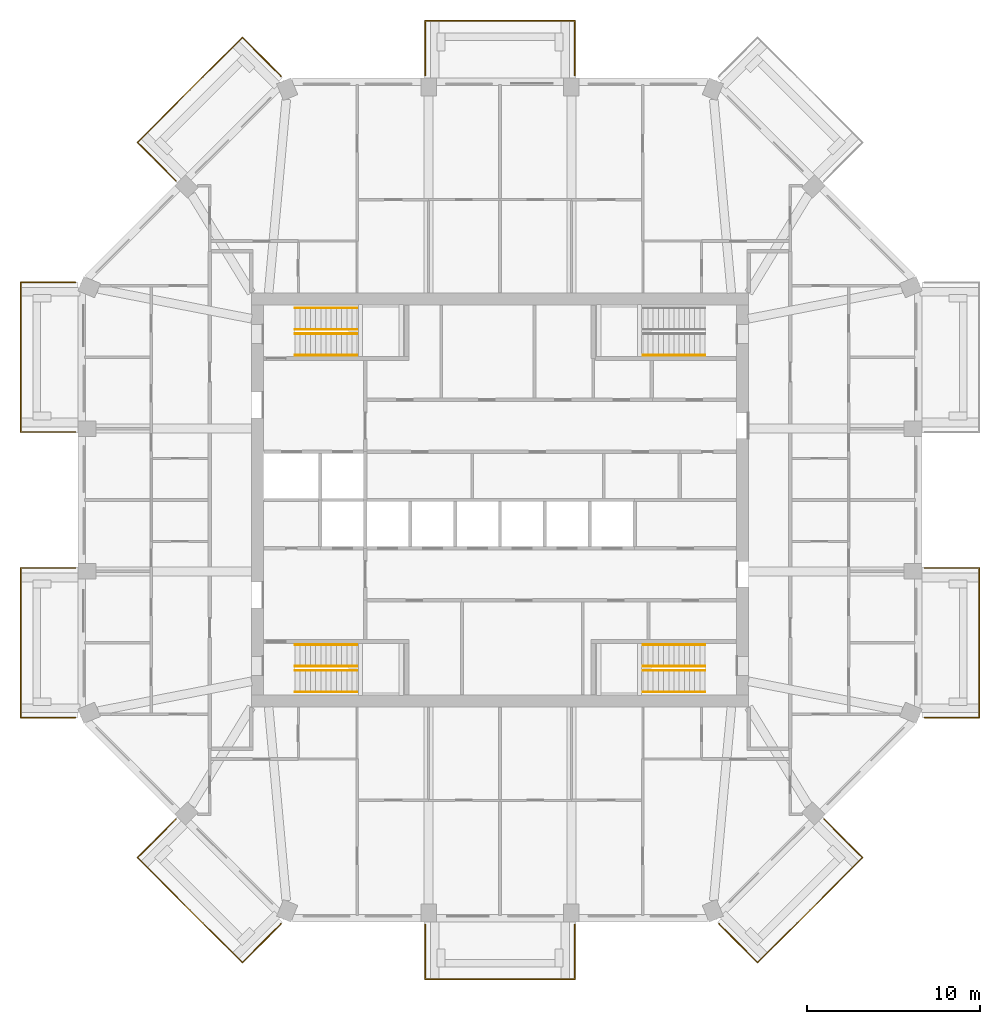
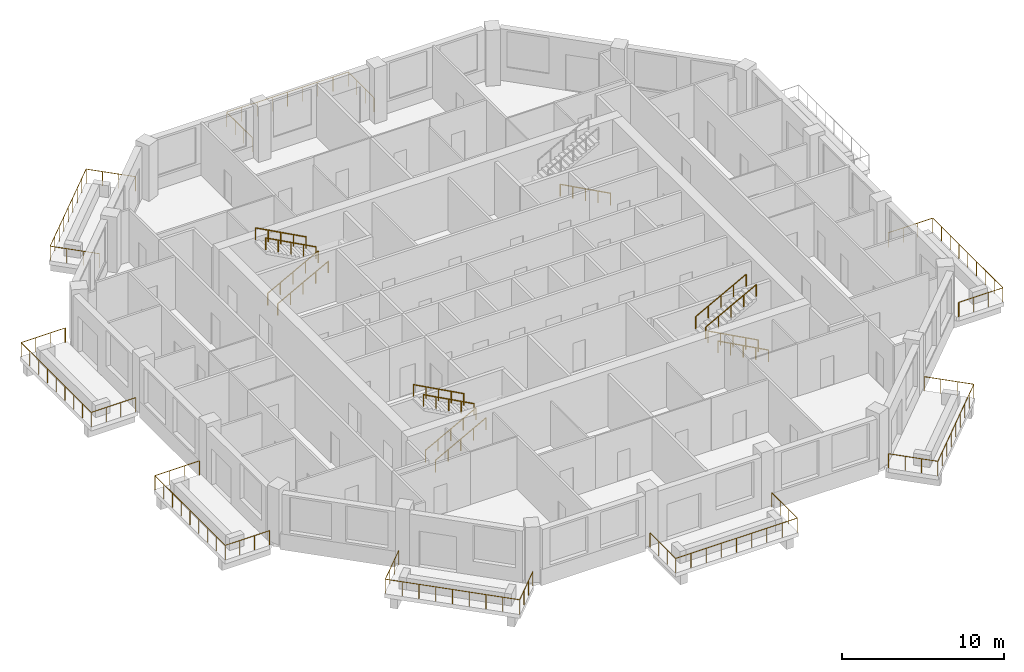
# One storey, part 11 of 12: 21 railings.
"""IFC4 building model written with IfcOpenShell, lengths in metres."""

from ifc_helpers import new_model, si_unit, direction, frame, origin, origin_2d, place, context, subcontext, project, spatial, circle, extrude, material, constituent, constituent_set, type_object, element, save


model = new_model("IFC4")

# Units and contexts
model_context = context("Model", 3, precision=1e-05, world=origin(), true_north=direction((0.0, 1.0)))
body_context = subcontext(model_context, "Body", "Model", "MODEL_VIEW")
ifc_project = project(units=[si_unit("LENGTHUNIT", "METRE"), si_unit("AREAUNIT", "SQUARE_METRE"), si_unit("VOLUMEUNIT", "CUBIC_METRE"), si_unit("PLANEANGLEUNIT", "RADIAN"), si_unit("MASSUNIT", "GRAM", prefix="KILO")], contexts=[model_context])

# Site, building, storey
site_placement = place(None, origin())
site = spatial("IfcSite", under=ifc_project, at=site_placement, CompositionType="ELEMENT")
building_placement = place(site_placement, origin())
building = spatial("IfcBuilding", under=site, at=building_placement, Name="Msitu Wima Residences", CompositionType="ELEMENT")
storey_placement = place(building_placement, frame((0.0, 0.0, 170.699951171875)))
storey = spatial("IfcBuildingStorey", under=building, at=storey_placement, Name="L39", CompositionType="ELEMENT", Elevation=170.699951171875)

# Railings
ifc_material_1 = material(Name="Steel S355", Category="steel")
ifc_constituent_1 = constituent(ifc_material_1, Name="Steel S355")
ifc_material_2 = material(Name="Weathering patina")
ifc_constituent_2 = constituent(ifc_material_2, Name="Weathering patina")
ifc_constituent_set_1 = constituent_set(constituents=[ifc_constituent_1, ifc_constituent_2], Name="Steel S355")
railing_type_1 = type_object("IfcRailingType", Name="Balcony guard GR1100", PredefinedType="GUARDRAIL", material=ifc_constituent_set_1)
railing_1_placement = place(storey_placement, frame((24.580078125, -3.937255859375, 0.0)))
element("IfcRailing", 1, at=railing_1_placement, inside=storey, type_object=railing_type_1, Name="Balcony guard E0 L39", PredefinedType="GUARDRAIL", context=body_context, shape_type="SweptSolid", body=[
    extrude(circle(Radius=0.02392578125, at=origin_2d()), frame((0.0, 0.0, 1.076171875), z_axis=(1.0, 0.0, 0.0), x_axis=(0.0, 1.0, 0.0)), (0.0, 0.0, 1.0), 3.169921875),
    extrude(circle(Radius=0.02392578125, at=origin_2d()), frame((3.169921875, 0.0, 1.076171875), z_axis=(0.0, -1.0, 0.0), x_axis=(1.0, 0.0, 0.0)), (0.0, 0.0, 1.0), 8.674560546875),
    extrude(circle(Radius=0.02392578125, at=origin_2d()), frame((3.169921875, -8.674560546875, 1.076171875), z_axis=(-1.0, 0.0, 0.0), x_axis=(0.0, -1.0, 0.0)), (0.0, 0.0, 1.0), 3.136474609375),
    extrude(circle(Radius=0.02392578125, at=origin_2d()), frame((0.033447265625, -8.674560546875, 1.076171875), z_axis=(-0.923276184907, 0.384136806859, 0.0), x_axis=(-0.384136806859, -0.923276184907, 0.0)), (0.0, 0.0, 1.0), 0.0361328125),
    extrude(circle(Radius=0.02099609375, at=origin_2d()), origin(), (0.0, 0.0, 1.0), 1.052001953125),
    extrude(circle(Radius=0.02099609375, at=origin_2d()), frame((1.056640625, 0.0, 0.0)), (0.0, 0.0, 1.0), 1.052001953125),
    extrude(circle(Radius=0.02099609375, at=origin_2d()), frame((2.11328125, 0.0, 0.0)), (0.0, 0.0, 1.0), 1.052001953125),
    extrude(circle(Radius=0.02099609375, at=origin_2d()), frame((3.169921875, 0.0, 0.0)), (0.0, 0.0, 1.0), 1.052001953125),
    extrude(circle(Radius=0.02099609375, at=origin_2d()), frame((3.169921875, -1.084228515625, 0.0)), (0.0, 0.0, 1.0), 1.052001953125),
    extrude(circle(Radius=0.02099609375, at=origin_2d()), frame((3.169921875, -2.168701171875, 0.0)), (0.0, 0.0, 1.0), 1.052001953125),
    extrude(circle(Radius=0.02099609375, at=origin_2d()), frame((3.169921875, -3.2529296875, 0.0)), (0.0, 0.0, 1.0), 1.052001953125),
    extrude(circle(Radius=0.02099609375, at=origin_2d()), frame((3.169921875, -4.33740234375, 0.0)), (0.0, 0.0, 1.0), 1.052001953125),
    extrude(circle(Radius=0.02099609375, at=origin_2d()), frame((3.169921875, -5.421630859375, 0.0)), (0.0, 0.0, 1.0), 1.052001953125),
    extrude(circle(Radius=0.02099609375, at=origin_2d()), frame((3.169921875, -6.505859375, 0.0)), (0.0, 0.0, 1.0), 1.052001953125),
    extrude(circle(Radius=0.02099609375, at=origin_2d()), frame((3.169921875, -7.59033203125, 0.0)), (0.0, 0.0, 1.0), 1.052001953125),
    extrude(circle(Radius=0.02099609375, at=origin_2d()), frame((3.169921875, -8.674560546875, 0.0)), (0.0, 0.0, 1.0), 1.052001953125),
    extrude(circle(Radius=0.02099609375, at=origin_2d()), frame((2.12451171875, -8.674560546875, 0.0)), (0.0, 0.0, 1.0), 1.052001953125),
    extrude(circle(Radius=0.02099609375, at=origin_2d()), frame((1.078857421875, -8.674560546875, 0.0)), (0.0, 0.0, 1.0), 1.052001953125),
    extrude(circle(Radius=0.02099609375, at=origin_2d()), frame((0.033447265625, -8.674560546875, 0.0)), (0.0, 0.0, 1.0), 1.052001953125),
    extrude(circle(Radius=0.02099609375, at=origin_2d()), frame((0.0, -8.66064453125, 0.0)), (0.0, 0.0, 1.0), 1.052001953125),
])
railing_2_placement = place(storey_placement, frame((-4.337158203125, 24.580078125, 0.0)))
element("IfcRailing", 2, at=railing_2_placement, inside=storey, type_object=railing_type_1, Name="Balcony guard N1 L39", PredefinedType="GUARDRAIL", context=body_context, shape_type="SweptSolid", body=[
    extrude(circle(Radius=0.02392578125, at=origin_2d()), frame((0.0, 0.0, 1.076171875), z_axis=(0.0, 1.0, 0.0), x_axis=(-1.0, 0.0, 0.0)), (0.0, 0.0, 1.0), 3.169921875),
    extrude(circle(Radius=0.02392578125, at=origin_2d()), frame((0.0, 3.169921875, 1.076171875), z_axis=(1.0, 0.0, 0.0), x_axis=(0.0, 1.0, 0.0)), (0.0, 0.0, 1.0), 8.67431640625),
    extrude(circle(Radius=0.02392578125, at=origin_2d()), frame((8.67431640625, 3.169921875, 1.076171875), z_axis=(0.0, -1.0, 0.0), x_axis=(1.0, 0.0, 0.0)), (0.0, 0.0, 1.0), 3.169921875),
    extrude(circle(Radius=0.02099609375, at=origin_2d()), origin(), (0.0, 0.0, 1.0), 1.052001953125),
    extrude(circle(Radius=0.02099609375, at=origin_2d()), frame((0.0, 1.056640625, 0.0)), (0.0, 0.0, 1.0), 1.052001953125),
    extrude(circle(Radius=0.02099609375, at=origin_2d()), frame((0.0, 2.11328125, 0.0)), (0.0, 0.0, 1.0), 1.052001953125),
    extrude(circle(Radius=0.02099609375, at=origin_2d()), frame((0.0, 3.169921875, 0.0)), (0.0, 0.0, 1.0), 1.052001953125),
    extrude(circle(Radius=0.02099609375, at=origin_2d()), frame((1.084228515625, 3.169921875, 0.0)), (0.0, 0.0, 1.0), 1.052001953125),
    extrude(circle(Radius=0.02099609375, at=origin_2d()), frame((2.16845703125, 3.169921875, 0.0)), (0.0, 0.0, 1.0), 1.052001953125),
    extrude(circle(Radius=0.02099609375, at=origin_2d()), frame((3.2529296875, 3.169921875, 0.0)), (0.0, 0.0, 1.0), 1.052001953125),
    extrude(circle(Radius=0.02099609375, at=origin_2d()), frame((4.337158203125, 3.169921875, 0.0)), (0.0, 0.0, 1.0), 1.052001953125),
    extrude(circle(Radius=0.02099609375, at=origin_2d()), frame((5.42138671875, 3.169921875, 0.0)), (0.0, 0.0, 1.0), 1.052001953125),
    extrude(circle(Radius=0.02099609375, at=origin_2d()), frame((6.505859375, 3.169921875, 0.0)), (0.0, 0.0, 1.0), 1.052001953125),
    extrude(circle(Radius=0.02099609375, at=origin_2d()), frame((7.590087890625, 3.169921875, 0.0)), (0.0, 0.0, 1.0), 1.052001953125),
    extrude(circle(Radius=0.02099609375, at=origin_2d()), frame((8.67431640625, 3.169921875, 0.0)), (0.0, 0.0, 1.0), 1.052001953125),
    extrude(circle(Radius=0.02099609375, at=origin_2d()), frame((8.67431640625, 2.11328125, 0.0)), (0.0, 0.0, 1.0), 1.052001953125),
    extrude(circle(Radius=0.02099609375, at=origin_2d()), frame((8.67431640625, 1.056640625, 0.0)), (0.0, 0.0, 1.0), 1.052001953125),
    extrude(circle(Radius=0.02099609375, at=origin_2d()), frame((8.67431640625, 0.0, 0.0)), (0.0, 0.0, 1.0), 1.052001953125),
])
railing_3_placement = place(storey_placement, frame((-18.75732421875, 18.474609375, 0.0)))
element("IfcRailing", 3, at=railing_3_placement, inside=storey, type_object=railing_type_1, Name="Balcony guard NW0 L39", PredefinedType="GUARDRAIL", context=body_context, shape_type="SweptSolid", body=[
    extrude(circle(Radius=0.02392578125, at=origin_2d()), frame((0.0, 0.0, 1.076171875), z_axis=(-0.707145287287, 0.707068272989, 0.0), x_axis=(-0.707068272989, -0.707145287287, 0.0)), (0.0, 0.0, 1.0), 3.170166015625),
    extrude(circle(Radius=0.02392578125, at=origin_2d()), frame((-2.24169921875, 2.241455078125, 1.076171875), z_axis=(0.707106781187, 0.707106781187, 0.0), x_axis=(-0.707106781187, 0.707106781187, 0.0)), (0.0, 0.0, 1.0), 8.593994140625),
    extrude(circle(Radius=0.02392578125, at=origin_2d()), frame((3.835205078125, 8.318359375, 1.076171875), z_axis=(0.707145698426, -0.707067861805, 0.0), x_axis=(0.707067861805, 0.707145698426, 0.0)), (0.0, 0.0, 1.0), 3.136474609375),
    extrude(circle(Radius=0.02392578125, at=origin_2d()), frame((6.05322265625, 6.1005859375, 1.076171875), z_axis=(0.384136806859, -0.923276184907, 0.0), x_axis=(0.923276184907, 0.384136806859, 0.0)), (0.0, 0.0, 1.0), 0.0361328125),
    extrude(circle(Radius=0.02099609375, at=origin_2d()), origin(), (0.0, 0.0, 1.0), 1.052001953125),
    extrude(circle(Radius=0.02099609375, at=origin_2d()), frame((-0.747314453125, 0.7470703125, 0.0)), (0.0, 0.0, 1.0), 1.052001953125),
    extrude(circle(Radius=0.02099609375, at=origin_2d()), frame((-1.494384765625, 1.494384765625, 0.0)), (0.0, 0.0, 1.0), 1.052001953125),
    extrude(circle(Radius=0.02099609375, at=origin_2d()), frame((-2.24169921875, 2.241455078125, 0.0)), (0.0, 0.0, 1.0), 1.052001953125),
    extrude(circle(Radius=0.02099609375, at=origin_2d()), frame((-1.482177734375, 3.0009765625, 0.0)), (0.0, 0.0, 1.0), 1.052001953125),
    extrude(circle(Radius=0.02099609375, at=origin_2d()), frame((-0.722412109375, 3.7607421875, 0.0)), (0.0, 0.0, 1.0), 1.052001953125),
    extrude(circle(Radius=0.02099609375, at=origin_2d()), frame((0.037109375, 4.520263671875, 0.0)), (0.0, 0.0, 1.0), 1.052001953125),
    extrude(circle(Radius=0.02099609375, at=origin_2d()), frame((0.796875, 5.27978515625, 0.0)), (0.0, 0.0, 1.0), 1.052001953125),
    extrude(circle(Radius=0.02099609375, at=origin_2d()), frame((1.556396484375, 6.03955078125, 0.0)), (0.0, 0.0, 1.0), 1.052001953125),
    extrude(circle(Radius=0.02099609375, at=origin_2d()), frame((2.31591796875, 6.799072265625, 0.0)), (0.0, 0.0, 1.0), 1.052001953125),
    extrude(circle(Radius=0.02099609375, at=origin_2d()), frame((3.07568359375, 7.558837890625, 0.0)), (0.0, 0.0, 1.0), 1.052001953125),
    extrude(circle(Radius=0.02099609375, at=origin_2d()), frame((3.835205078125, 8.318359375, 0.0)), (0.0, 0.0, 1.0), 1.052001953125),
    extrude(circle(Radius=0.02099609375, at=origin_2d()), frame((4.574462890625, 7.5791015625, 0.0)), (0.0, 0.0, 1.0), 1.052001953125),
    extrude(circle(Radius=0.02099609375, at=origin_2d()), frame((5.31396484375, 6.83984375, 0.0)), (0.0, 0.0, 1.0), 1.052001953125),
    extrude(circle(Radius=0.02099609375, at=origin_2d()), frame((6.05322265625, 6.1005859375, 0.0)), (0.0, 0.0, 1.0), 1.052001953125),
    extrude(circle(Radius=0.02099609375, at=origin_2d()), frame((6.067138671875, 6.067138671875, 0.0)), (0.0, 0.0, 1.0), 1.052001953125),
])
railing_4_placement = place(storey_placement, frame((-24.580078125, 3.937255859375, 0.0)))
element("IfcRailing", 4, at=railing_4_placement, inside=storey, type_object=railing_type_1, Name="Balcony guard W0 L39", PredefinedType="GUARDRAIL", context=body_context, shape_type="SweptSolid", body=[
    extrude(circle(Radius=0.02392578125, at=origin_2d()), frame((0.0, 0.0, 1.076171875), z_axis=(-1.0, 0.0, 0.0), x_axis=(0.0, -1.0, 0.0)), (0.0, 0.0, 1.0), 3.169921875),
    extrude(circle(Radius=0.02392578125, at=origin_2d()), frame((-3.169921875, 0.0, 1.076171875), z_axis=(0.0, 1.0, 0.0), x_axis=(-1.0, 0.0, 0.0)), (0.0, 0.0, 1.0), 8.674560546875),
    extrude(circle(Radius=0.02392578125, at=origin_2d()), frame((-3.169921875, 8.674560546875, 1.076171875), z_axis=(1.0, 0.0, 0.0), x_axis=(0.0, 1.0, 0.0)), (0.0, 0.0, 1.0), 3.136474609375),
    extrude(circle(Radius=0.02392578125, at=origin_2d()), frame((-0.033447265625, 8.674560546875, 1.076171875), z_axis=(0.923276184907, -0.384136806859, 0.0), x_axis=(0.384136806859, 0.923276184907, 0.0)), (0.0, 0.0, 1.0), 0.0361328125),
    extrude(circle(Radius=0.02099609375, at=origin_2d()), origin(), (0.0, 0.0, 1.0), 1.052001953125),
    extrude(circle(Radius=0.02099609375, at=origin_2d()), frame((-1.056640625, 0.0, 0.0)), (0.0, 0.0, 1.0), 1.052001953125),
    extrude(circle(Radius=0.02099609375, at=origin_2d()), frame((-2.11328125, 0.0, 0.0)), (0.0, 0.0, 1.0), 1.052001953125),
    extrude(circle(Radius=0.02099609375, at=origin_2d()), frame((-3.169921875, 0.0, 0.0)), (0.0, 0.0, 1.0), 1.052001953125),
    extrude(circle(Radius=0.02099609375, at=origin_2d()), frame((-3.169921875, 1.084228515625, 0.0)), (0.0, 0.0, 1.0), 1.052001953125),
    extrude(circle(Radius=0.02099609375, at=origin_2d()), frame((-3.169921875, 2.168701171875, 0.0)), (0.0, 0.0, 1.0), 1.052001953125),
    extrude(circle(Radius=0.02099609375, at=origin_2d()), frame((-3.169921875, 3.2529296875, 0.0)), (0.0, 0.0, 1.0), 1.052001953125),
    extrude(circle(Radius=0.02099609375, at=origin_2d()), frame((-3.169921875, 4.33740234375, 0.0)), (0.0, 0.0, 1.0), 1.052001953125),
    extrude(circle(Radius=0.02099609375, at=origin_2d()), frame((-3.169921875, 5.421630859375, 0.0)), (0.0, 0.0, 1.0), 1.052001953125),
    extrude(circle(Radius=0.02099609375, at=origin_2d()), frame((-3.169921875, 6.505859375, 0.0)), (0.0, 0.0, 1.0), 1.052001953125),
    extrude(circle(Radius=0.02099609375, at=origin_2d()), frame((-3.169921875, 7.59033203125, 0.0)), (0.0, 0.0, 1.0), 1.052001953125),
    extrude(circle(Radius=0.02099609375, at=origin_2d()), frame((-3.169921875, 8.674560546875, 0.0)), (0.0, 0.0, 1.0), 1.052001953125),
    extrude(circle(Radius=0.02099609375, at=origin_2d()), frame((-2.12451171875, 8.674560546875, 0.0)), (0.0, 0.0, 1.0), 1.052001953125),
    extrude(circle(Radius=0.02099609375, at=origin_2d()), frame((-1.078857421875, 8.674560546875, 0.0)), (0.0, 0.0, 1.0), 1.052001953125),
    extrude(circle(Radius=0.02099609375, at=origin_2d()), frame((-0.033447265625, 8.674560546875, 0.0)), (0.0, 0.0, 1.0), 1.052001953125),
    extrude(circle(Radius=0.02099609375, at=origin_2d()), frame((0.0, 8.66064453125, 0.0)), (0.0, 0.0, 1.0), 1.052001953125),
])
railing_5_placement = place(storey_placement, frame((-24.580078125, -12.597900390625, 0.0)))
element("IfcRailing", 5, at=railing_5_placement, inside=storey, type_object=railing_type_1, Name="Balcony guard W2 L39", PredefinedType="GUARDRAIL", context=body_context, shape_type="SweptSolid", body=[
    extrude(circle(Radius=0.02392578125, at=origin_2d()), frame((0.0, 0.0, 1.076171875), z_axis=(-0.923276184907, -0.384136806859, 0.0), x_axis=(0.384136806859, -0.923276184907, 0.0)), (0.0, 0.0, 1.0), 0.0361328125),
    extrude(circle(Radius=0.02392578125, at=origin_2d()), frame((-0.033447265625, -0.013916015625, 1.076171875), z_axis=(-1.0, 0.0, 0.0), x_axis=(0.0, -1.0, 0.0)), (0.0, 0.0, 1.0), 3.136474609375),
    extrude(circle(Radius=0.02392578125, at=origin_2d()), frame((-3.169921875, -0.013916015625, 1.076171875), z_axis=(0.0, 1.0, 0.0), x_axis=(-1.0, 0.0, 0.0)), (0.0, 0.0, 1.0), 8.674560546875),
    extrude(circle(Radius=0.02392578125, at=origin_2d()), frame((-3.169921875, 8.66064453125, 1.076171875), z_axis=(1.0, 0.0, 0.0), x_axis=(0.0, 1.0, 0.0)), (0.0, 0.0, 1.0), 3.169921875),
    extrude(circle(Radius=0.02099609375, at=origin_2d()), origin(), (0.0, 0.0, 1.0), 1.052001953125),
    extrude(circle(Radius=0.02099609375, at=origin_2d()), frame((-0.033447265625, -0.013916015625, 0.0)), (0.0, 0.0, 1.0), 1.052001953125),
    extrude(circle(Radius=0.02099609375, at=origin_2d()), frame((-1.078857421875, -0.013916015625, 0.0)), (0.0, 0.0, 1.0), 1.052001953125),
    extrude(circle(Radius=0.02099609375, at=origin_2d()), frame((-2.12451171875, -0.013916015625, 0.0)), (0.0, 0.0, 1.0), 1.052001953125),
    extrude(circle(Radius=0.02099609375, at=origin_2d()), frame((-3.169921875, -0.013916015625, 0.0)), (0.0, 0.0, 1.0), 1.052001953125),
    extrude(circle(Radius=0.02099609375, at=origin_2d()), frame((-3.169921875, 1.0703125, 0.0)), (0.0, 0.0, 1.0), 1.052001953125),
    extrude(circle(Radius=0.02099609375, at=origin_2d()), frame((-3.169921875, 2.15478515625, 0.0)), (0.0, 0.0, 1.0), 1.052001953125),
    extrude(circle(Radius=0.02099609375, at=origin_2d()), frame((-3.169921875, 3.239013671875, 0.0)), (0.0, 0.0, 1.0), 1.052001953125),
    extrude(circle(Radius=0.02099609375, at=origin_2d()), frame((-3.169921875, 4.3232421875, 0.0)), (0.0, 0.0, 1.0), 1.052001953125),
    extrude(circle(Radius=0.02099609375, at=origin_2d()), frame((-3.169921875, 5.40771484375, 0.0)), (0.0, 0.0, 1.0), 1.052001953125),
    extrude(circle(Radius=0.02099609375, at=origin_2d()), frame((-3.169921875, 6.491943359375, 0.0)), (0.0, 0.0, 1.0), 1.052001953125),
    extrude(circle(Radius=0.02099609375, at=origin_2d()), frame((-3.169921875, 7.576416015625, 0.0)), (0.0, 0.0, 1.0), 1.052001953125),
    extrude(circle(Radius=0.02099609375, at=origin_2d()), frame((-3.169921875, 8.66064453125, 0.0)), (0.0, 0.0, 1.0), 1.052001953125),
    extrude(circle(Radius=0.02099609375, at=origin_2d()), frame((-2.11328125, 8.66064453125, 0.0)), (0.0, 0.0, 1.0), 1.052001953125),
    extrude(circle(Radius=0.02099609375, at=origin_2d()), frame((-1.056640625, 8.66064453125, 0.0)), (0.0, 0.0, 1.0), 1.052001953125),
    extrude(circle(Radius=0.02099609375, at=origin_2d()), frame((0.0, 8.66064453125, 0.0)), (0.0, 0.0, 1.0), 1.052001953125),
])
railing_6_placement = place(storey_placement, frame((-12.690185546875, -24.541748046875, 0.0)))
element("IfcRailing", 6, at=railing_6_placement, inside=storey, type_object=railing_type_1, Name="Balcony guard SW1 L39", PredefinedType="GUARDRAIL", context=body_context, shape_type="SweptSolid", body=[
    extrude(circle(Radius=0.02392578125, at=origin_2d()), frame((0.0, 0.0, 1.076171875), z_axis=(-0.384136806859, -0.923276184907, 0.0), x_axis=(0.923276184907, -0.384136806859, 0.0)), (0.0, 0.0, 1.0), 0.0361328125),
    extrude(circle(Radius=0.02392578125, at=origin_2d()), frame((-0.013916015625, -0.033447265625, 1.076171875), z_axis=(-0.707145698426, -0.707067861805, 0.0), x_axis=(0.707067861805, -0.707145698426, 0.0)), (0.0, 0.0, 1.0), 3.136474609375),
    extrude(circle(Radius=0.02392578125, at=origin_2d()), frame((-2.23193359375, -2.251220703125, 1.076171875), z_axis=(-0.707106781187, 0.707106781187, 0.0), x_axis=(-0.707106781187, -0.707106781187, 0.0)), (0.0, 0.0, 1.0), 8.593994140625),
    extrude(circle(Radius=0.02392578125, at=origin_2d()), frame((-8.308837890625, 3.82568359375, 1.076171875), z_axis=(0.707145287287, 0.707068272989, 0.0), x_axis=(-0.707068272989, 0.707145287287, 0.0)), (0.0, 0.0, 1.0), 3.170166015625),
    extrude(circle(Radius=0.02099609375, at=origin_2d()), origin(), (0.0, 0.0, 1.0), 1.052001953125),
    extrude(circle(Radius=0.02099609375, at=origin_2d()), frame((-0.013916015625, -0.033447265625, 0.0)), (0.0, 0.0, 1.0), 1.052001953125),
    extrude(circle(Radius=0.02099609375, at=origin_2d()), frame((-0.753173828125, -0.772705078125, 0.0)), (0.0, 0.0, 1.0), 1.052001953125),
    extrude(circle(Radius=0.02099609375, at=origin_2d()), frame((-1.49267578125, -1.511962890625, 0.0)), (0.0, 0.0, 1.0), 1.052001953125),
    extrude(circle(Radius=0.02099609375, at=origin_2d()), frame((-2.23193359375, -2.251220703125, 0.0)), (0.0, 0.0, 1.0), 1.052001953125),
    extrude(circle(Radius=0.02099609375, at=origin_2d()), frame((-2.991455078125, -1.49169921875, 0.0)), (0.0, 0.0, 1.0), 1.052001953125),
    extrude(circle(Radius=0.02099609375, at=origin_2d()), frame((-3.751220703125, -0.73193359375, 0.0)), (0.0, 0.0, 1.0), 1.052001953125),
    extrude(circle(Radius=0.02099609375, at=origin_2d()), frame((-4.5107421875, 0.027587890625, 0.0)), (0.0, 0.0, 1.0), 1.052001953125),
    extrude(circle(Radius=0.02099609375, at=origin_2d()), frame((-5.2705078125, 0.787109375, 0.0)), (0.0, 0.0, 1.0), 1.052001953125),
    extrude(circle(Radius=0.02099609375, at=origin_2d()), frame((-6.030029296875, 1.546875, 0.0)), (0.0, 0.0, 1.0), 1.052001953125),
    extrude(circle(Radius=0.02099609375, at=origin_2d()), frame((-6.78955078125, 2.306396484375, 0.0)), (0.0, 0.0, 1.0), 1.052001953125),
    extrude(circle(Radius=0.02099609375, at=origin_2d()), frame((-7.54931640625, 3.066162109375, 0.0)), (0.0, 0.0, 1.0), 1.052001953125),
    extrude(circle(Radius=0.02099609375, at=origin_2d()), frame((-8.308837890625, 3.82568359375, 0.0)), (0.0, 0.0, 1.0), 1.052001953125),
    extrude(circle(Radius=0.02099609375, at=origin_2d()), frame((-7.5615234375, 4.57275390625, 0.0)), (0.0, 0.0, 1.0), 1.052001953125),
    extrude(circle(Radius=0.02099609375, at=origin_2d()), frame((-6.814453125, 5.320068359375, 0.0)), (0.0, 0.0, 1.0), 1.052001953125),
    extrude(circle(Radius=0.02099609375, at=origin_2d()), frame((-6.067138671875, 6.067138671875, 0.0)), (0.0, 0.0, 1.0), 1.052001953125),
])
railing_7_placement = place(storey_placement, frame((4.337158203125, -24.580078125, 0.0)))
element("IfcRailing", 7, at=railing_7_placement, inside=storey, type_object=railing_type_1, Name="Balcony guard S1 L39", PredefinedType="GUARDRAIL", context=body_context, shape_type="SweptSolid", body=[
    extrude(circle(Radius=0.02392578125, at=origin_2d()), frame((0.0, 0.0, 1.076171875), z_axis=(0.0, -1.0, 0.0), x_axis=(1.0, 0.0, 0.0)), (0.0, 0.0, 1.0), 3.169921875),
    extrude(circle(Radius=0.02392578125, at=origin_2d()), frame((0.0, -3.169921875, 1.076171875), z_axis=(-1.0, 0.0, 0.0), x_axis=(0.0, -1.0, 0.0)), (0.0, 0.0, 1.0), 8.67431640625),
    extrude(circle(Radius=0.02392578125, at=origin_2d()), frame((-8.67431640625, -3.169921875, 1.076171875), z_axis=(0.0, 1.0, 0.0), x_axis=(-1.0, 0.0, 0.0)), (0.0, 0.0, 1.0), 3.169921875),
    extrude(circle(Radius=0.02099609375, at=origin_2d()), origin(), (0.0, 0.0, 1.0), 1.052001953125),
    extrude(circle(Radius=0.02099609375, at=origin_2d()), frame((0.0, -1.056640625, 0.0)), (0.0, 0.0, 1.0), 1.052001953125),
    extrude(circle(Radius=0.02099609375, at=origin_2d()), frame((0.0, -2.11328125, 0.0)), (0.0, 0.0, 1.0), 1.052001953125),
    extrude(circle(Radius=0.02099609375, at=origin_2d()), frame((0.0, -3.169921875, 0.0)), (0.0, 0.0, 1.0), 1.052001953125),
    extrude(circle(Radius=0.02099609375, at=origin_2d()), frame((-1.084228515625, -3.169921875, 0.0)), (0.0, 0.0, 1.0), 1.052001953125),
    extrude(circle(Radius=0.02099609375, at=origin_2d()), frame((-2.16845703125, -3.169921875, 0.0)), (0.0, 0.0, 1.0), 1.052001953125),
    extrude(circle(Radius=0.02099609375, at=origin_2d()), frame((-3.2529296875, -3.169921875, 0.0)), (0.0, 0.0, 1.0), 1.052001953125),
    extrude(circle(Radius=0.02099609375, at=origin_2d()), frame((-4.337158203125, -3.169921875, 0.0)), (0.0, 0.0, 1.0), 1.052001953125),
    extrude(circle(Radius=0.02099609375, at=origin_2d()), frame((-5.42138671875, -3.169921875, 0.0)), (0.0, 0.0, 1.0), 1.052001953125),
    extrude(circle(Radius=0.02099609375, at=origin_2d()), frame((-6.505859375, -3.169921875, 0.0)), (0.0, 0.0, 1.0), 1.052001953125),
    extrude(circle(Radius=0.02099609375, at=origin_2d()), frame((-7.590087890625, -3.169921875, 0.0)), (0.0, 0.0, 1.0), 1.052001953125),
    extrude(circle(Radius=0.02099609375, at=origin_2d()), frame((-8.67431640625, -3.169921875, 0.0)), (0.0, 0.0, 1.0), 1.052001953125),
    extrude(circle(Radius=0.02099609375, at=origin_2d()), frame((-8.67431640625, -2.11328125, 0.0)), (0.0, 0.0, 1.0), 1.052001953125),
    extrude(circle(Radius=0.02099609375, at=origin_2d()), frame((-8.67431640625, -1.056640625, 0.0)), (0.0, 0.0, 1.0), 1.052001953125),
    extrude(circle(Radius=0.02099609375, at=origin_2d()), frame((-8.67431640625, 0.0, 0.0)), (0.0, 0.0, 1.0), 1.052001953125),
])
railing_8_placement = place(storey_placement, frame((18.75732421875, -18.474609375, 0.0)))
element("IfcRailing", 8, at=railing_8_placement, inside=storey, type_object=railing_type_1, Name="Balcony guard SE0 L39", PredefinedType="GUARDRAIL", context=body_context, shape_type="SweptSolid", body=[
    extrude(circle(Radius=0.02392578125, at=origin_2d()), frame((0.0, 0.0, 1.076171875), z_axis=(0.707145287287, -0.707068272989, 0.0), x_axis=(0.707068272989, 0.707145287287, 0.0)), (0.0, 0.0, 1.0), 3.170166015625),
    extrude(circle(Radius=0.02392578125, at=origin_2d()), frame((2.24169921875, -2.241455078125, 1.076171875), z_axis=(-0.707106781187, -0.707106781187, 0.0), x_axis=(0.707106781187, -0.707106781187, 0.0)), (0.0, 0.0, 1.0), 8.593994140625),
    extrude(circle(Radius=0.02392578125, at=origin_2d()), frame((-3.835205078125, -8.318359375, 1.076171875), z_axis=(-0.707145698426, 0.707067861805, 0.0), x_axis=(-0.707067861805, -0.707145698426, 0.0)), (0.0, 0.0, 1.0), 3.136474609375),
    extrude(circle(Radius=0.02392578125, at=origin_2d()), frame((-6.05322265625, -6.1005859375, 1.076171875), z_axis=(-0.384136806859, 0.923276184907, 0.0), x_axis=(-0.923276184907, -0.384136806859, 0.0)), (0.0, 0.0, 1.0), 0.0361328125),
    extrude(circle(Radius=0.02099609375, at=origin_2d()), origin(), (0.0, 0.0, 1.0), 1.052001953125),
    extrude(circle(Radius=0.02099609375, at=origin_2d()), frame((0.747314453125, -0.7470703125, 0.0)), (0.0, 0.0, 1.0), 1.052001953125),
    extrude(circle(Radius=0.02099609375, at=origin_2d()), frame((1.494384765625, -1.494384765625, 0.0)), (0.0, 0.0, 1.0), 1.052001953125),
    extrude(circle(Radius=0.02099609375, at=origin_2d()), frame((2.24169921875, -2.241455078125, 0.0)), (0.0, 0.0, 1.0), 1.052001953125),
    extrude(circle(Radius=0.02099609375, at=origin_2d()), frame((1.482177734375, -3.0009765625, 0.0)), (0.0, 0.0, 1.0), 1.052001953125),
    extrude(circle(Radius=0.02099609375, at=origin_2d()), frame((0.722412109375, -3.7607421875, 0.0)), (0.0, 0.0, 1.0), 1.052001953125),
    extrude(circle(Radius=0.02099609375, at=origin_2d()), frame((-0.037109375, -4.520263671875, 0.0)), (0.0, 0.0, 1.0), 1.052001953125),
    extrude(circle(Radius=0.02099609375, at=origin_2d()), frame((-0.796875, -5.27978515625, 0.0)), (0.0, 0.0, 1.0), 1.052001953125),
    extrude(circle(Radius=0.02099609375, at=origin_2d()), frame((-1.556396484375, -6.03955078125, 0.0)), (0.0, 0.0, 1.0), 1.052001953125),
    extrude(circle(Radius=0.02099609375, at=origin_2d()), frame((-2.31591796875, -6.799072265625, 0.0)), (0.0, 0.0, 1.0), 1.052001953125),
    extrude(circle(Radius=0.02099609375, at=origin_2d()), frame((-3.07568359375, -7.558837890625, 0.0)), (0.0, 0.0, 1.0), 1.052001953125),
    extrude(circle(Radius=0.02099609375, at=origin_2d()), frame((-3.835205078125, -8.318359375, 0.0)), (0.0, 0.0, 1.0), 1.052001953125),
    extrude(circle(Radius=0.02099609375, at=origin_2d()), frame((-4.574462890625, -7.5791015625, 0.0)), (0.0, 0.0, 1.0), 1.052001953125),
    extrude(circle(Radius=0.02099609375, at=origin_2d()), frame((-5.31396484375, -6.83984375, 0.0)), (0.0, 0.0, 1.0), 1.052001953125),
    extrude(circle(Radius=0.02099609375, at=origin_2d()), frame((-6.05322265625, -6.1005859375, 0.0)), (0.0, 0.0, 1.0), 1.052001953125),
    extrude(circle(Radius=0.02099609375, at=origin_2d()), frame((-6.067138671875, -6.067138671875, 0.0)), (0.0, 0.0, 1.0), 1.052001953125),
])
ifc_constituent_3 = constituent(ifc_material_1, Name="Steel S355")
ifc_material_3 = material(Name="Black powder coating")
ifc_constituent_4 = constituent(ifc_material_3, Name="Black powder coating")
ifc_constituent_set_2 = constituent_set(constituents=[ifc_constituent_3, ifc_constituent_4], Name="Steel S355")
railing_type_2 = type_object("IfcRailingType", Name="Stair handrail HR1", PredefinedType="HANDRAIL", material=ifc_constituent_set_2)
for number, where, name in (
    (9, (-11.875, 8.375, 0.16162109375), "Stair 1 handrail"),
    (10, (-11.875, 9.625, 0.16162109375), "Stair 1 handrail"),
):
    element("IfcRailing", number, at=place(storey_placement, frame(where)), inside=storey, type_object=railing_type_2, Name=name, PredefinedType="HANDRAIL", context=body_context, shape_type="SweptSolid", body=[
        extrude(circle(Radius=0.02392578125, at=origin_2d()), frame((0.0, 0.0, 0.8759765625), z_axis=(0.880474934443, 0.0, 0.474092701714), x_axis=(0.0, 1.0, 0.0)), (0.0, 0.0, 1.0), 4.0888671875),
        extrude(circle(Radius=0.02099609375, at=origin_2d()), origin(), (0.0, 0.0, 1.0), 0.851806640625),
        extrude(circle(Radius=0.02099609375, at=origin_2d()), frame((0.89990234375, 0.0, 0.484619140625)), (0.0, 0.0, 1.0), 0.851806640625),
        extrude(circle(Radius=0.02099609375, at=origin_2d()), frame((1.800048828125, 0.0, 0.96923828125)), (0.0, 0.0, 1.0), 0.851806640625),
        extrude(circle(Radius=0.02099609375, at=origin_2d()), frame((2.7001953125, 0.0, 1.453857421875)), (0.0, 0.0, 1.0), 0.851806640625),
        extrude(circle(Radius=0.02099609375, at=origin_2d()), frame((3.60009765625, 0.0, 1.9384765625)), (0.0, 0.0, 1.0), 0.851806640625),
    ])
for number, where, name in (
    (11, (-8.27490234375, 9.875, 2.261474609375), "Stair 1 handrail"),
    (12, (-8.27490234375, 11.125, 2.261474609375), "Stair 1 handrail"),
):
    element("IfcRailing", number, at=place(storey_placement, frame(where)), inside=storey, type_object=railing_type_2, Name=name, PredefinedType="HANDRAIL", context=body_context, shape_type="SweptSolid", body=[
        extrude(circle(Radius=0.02392578125, at=origin_2d()), frame((0.0, 0.0, 0.8759765625), z_axis=(-0.880474934443, 0.0, 0.474092701714), x_axis=(0.0, -1.0, 0.0)), (0.0, 0.0, 1.0), 4.0888671875),
        extrude(circle(Radius=0.02099609375, at=origin_2d()), origin(), (0.0, 0.0, 1.0), 0.851806640625),
        extrude(circle(Radius=0.02099609375, at=origin_2d()), frame((-0.89990234375, 0.0, 0.484619140625)), (0.0, 0.0, 1.0), 0.851806640625),
        extrude(circle(Radius=0.02099609375, at=origin_2d()), frame((-1.800048828125, 0.0, 0.96923828125)), (0.0, 0.0, 1.0), 0.851806640625),
        extrude(circle(Radius=0.02099609375, at=origin_2d()), frame((-2.7001953125, 0.0, 1.453857421875)), (0.0, 0.0, 1.0), 0.851806640625),
        extrude(circle(Radius=0.02099609375, at=origin_2d()), frame((-3.60009765625, 0.0, 1.9384765625)), (0.0, 0.0, 1.0), 0.851806640625),
    ])
for number, where, name in (
    (13, (-11.875, -11.125, 0.16162109375), "Stair 2 handrail"),
    (14, (-11.875, -9.875, 0.16162109375), "Stair 2 handrail"),
):
    element("IfcRailing", number, at=place(storey_placement, frame(where)), inside=storey, type_object=railing_type_2, Name=name, PredefinedType="HANDRAIL", context=body_context, shape_type="SweptSolid", body=[
        extrude(circle(Radius=0.02392578125, at=origin_2d()), frame((0.0, 0.0, 0.8759765625), z_axis=(0.880474934443, 0.0, 0.474092701714), x_axis=(0.0, 1.0, 0.0)), (0.0, 0.0, 1.0), 4.0888671875),
        extrude(circle(Radius=0.02099609375, at=origin_2d()), origin(), (0.0, 0.0, 1.0), 0.851806640625),
        extrude(circle(Radius=0.02099609375, at=origin_2d()), frame((0.89990234375, 0.0, 0.484619140625)), (0.0, 0.0, 1.0), 0.851806640625),
        extrude(circle(Radius=0.02099609375, at=origin_2d()), frame((1.800048828125, 0.0, 0.96923828125)), (0.0, 0.0, 1.0), 0.851806640625),
        extrude(circle(Radius=0.02099609375, at=origin_2d()), frame((2.7001953125, 0.0, 1.453857421875)), (0.0, 0.0, 1.0), 0.851806640625),
        extrude(circle(Radius=0.02099609375, at=origin_2d()), frame((3.60009765625, 0.0, 1.9384765625)), (0.0, 0.0, 1.0), 0.851806640625),
    ])
for number, where, name in (
    (15, (-8.27490234375, -9.625, 2.261474609375), "Stair 2 handrail"),
    (16, (-8.27490234375, -8.375, 2.261474609375), "Stair 2 handrail"),
    (17, (11.875, 8.375, 0.16162109375), "Stair 3 handrail"),
    (18, (11.875, -11.125, 0.16162109375), "Stair 4 handrail"),
    (19, (11.875, -9.875, 0.16162109375), "Stair 4 handrail"),
):
    element("IfcRailing", number, at=place(storey_placement, frame(where)), inside=storey, type_object=railing_type_2, Name=name, PredefinedType="HANDRAIL", context=body_context, shape_type="SweptSolid", body=[
        extrude(circle(Radius=0.02392578125, at=origin_2d()), frame((0.0, 0.0, 0.8759765625), z_axis=(-0.880474934443, 0.0, 0.474092701714), x_axis=(0.0, -1.0, 0.0)), (0.0, 0.0, 1.0), 4.0888671875),
        extrude(circle(Radius=0.02099609375, at=origin_2d()), origin(), (0.0, 0.0, 1.0), 0.851806640625),
        extrude(circle(Radius=0.02099609375, at=origin_2d()), frame((-0.89990234375, 0.0, 0.484619140625)), (0.0, 0.0, 1.0), 0.851806640625),
        extrude(circle(Radius=0.02099609375, at=origin_2d()), frame((-1.800048828125, 0.0, 0.96923828125)), (0.0, 0.0, 1.0), 0.851806640625),
        extrude(circle(Radius=0.02099609375, at=origin_2d()), frame((-2.7001953125, 0.0, 1.453857421875)), (0.0, 0.0, 1.0), 0.851806640625),
        extrude(circle(Radius=0.02099609375, at=origin_2d()), frame((-3.60009765625, 0.0, 1.9384765625)), (0.0, 0.0, 1.0), 0.851806640625),
    ])
for number, where, name in (
    (20, (8.27490234375, -9.625, 2.261474609375), "Stair 4 handrail"),
    (21, (8.27490234375, -8.375, 2.261474609375), "Stair 4 handrail"),
):
    element("IfcRailing", number, at=place(storey_placement, frame(where)), inside=storey, type_object=railing_type_2, Name=name, PredefinedType="HANDRAIL", context=body_context, shape_type="SweptSolid", body=[
        extrude(circle(Radius=0.02392578125, at=origin_2d()), frame((0.0, 0.0, 0.8759765625), z_axis=(0.880474934443, 0.0, 0.474092701714), x_axis=(0.0, 1.0, 0.0)), (0.0, 0.0, 1.0), 4.0888671875),
        extrude(circle(Radius=0.02099609375, at=origin_2d()), origin(), (0.0, 0.0, 1.0), 0.851806640625),
        extrude(circle(Radius=0.02099609375, at=origin_2d()), frame((0.89990234375, 0.0, 0.484619140625)), (0.0, 0.0, 1.0), 0.851806640625),
        extrude(circle(Radius=0.02099609375, at=origin_2d()), frame((1.800048828125, 0.0, 0.96923828125)), (0.0, 0.0, 1.0), 0.851806640625),
        extrude(circle(Radius=0.02099609375, at=origin_2d()), frame((2.7001953125, 0.0, 1.453857421875)), (0.0, 0.0, 1.0), 0.851806640625),
        extrude(circle(Radius=0.02099609375, at=origin_2d()), frame((3.60009765625, 0.0, 1.9384765625)), (0.0, 0.0, 1.0), 0.851806640625),
    ])

save(model, "model.ifc")
